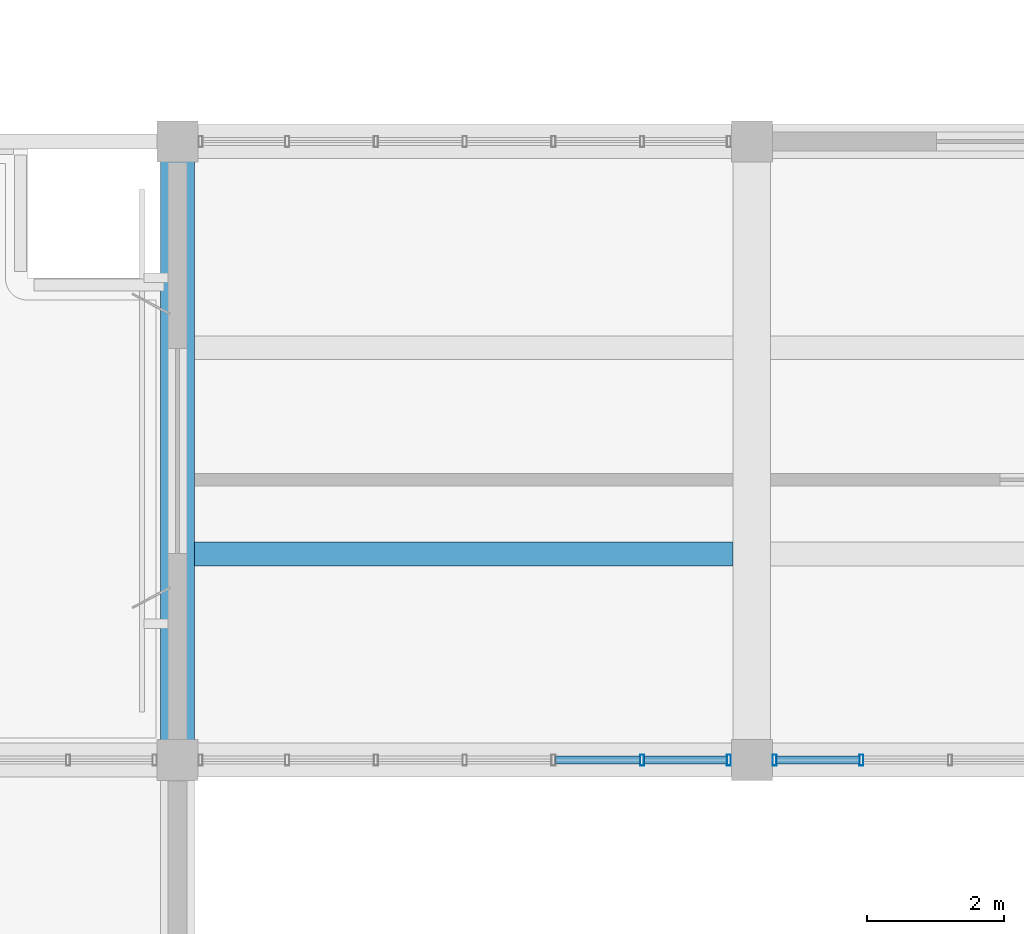
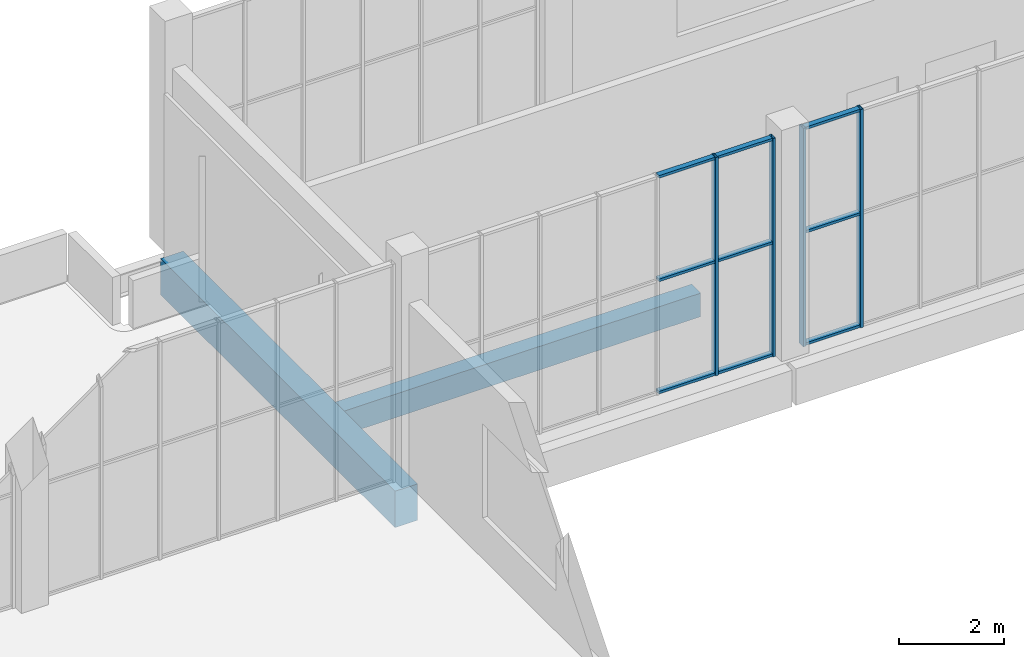
# One storey, part 57 of 132: 13 members, 2 beams, 2 elements without a shape of their own.
"""IFC4 building model written with IfcOpenShell, lengths in metres."""

from ifc_helpers import new_model, si_unit, direction, frame, origin, origin_2d, place, context, subcontext, project, spatial, rectangle, hollow_rectangle, extrude, material, material_profile, profile_set, type_object, element, aggregate, save


model = new_model("IFC4")

# Units and contexts
model_context = context("Model", 3, precision=1e-05, world=origin(), true_north=direction((0.0, 1.0)))
body_context = subcontext(model_context, "Body", "Model", "MODEL_VIEW")
ifc_project = project(units=[si_unit("LENGTHUNIT", "METRE"), si_unit("AREAUNIT", "SQUARE_METRE"), si_unit("VOLUMEUNIT", "CUBIC_METRE"), si_unit("PLANEANGLEUNIT", "RADIAN"), si_unit("MASSUNIT", "GRAM", prefix="KILO")], contexts=[model_context])

# Site, building, storey
site_placement = place(None, origin())
site = spatial("IfcSite", under=ifc_project, at=site_placement, CompositionType="ELEMENT")
building_placement = place(site_placement, origin())
building = spatial("IfcBuilding", under=site, at=building_placement, Name="Khurvash Pelagic Aquarium", CompositionType="ELEMENT")
storey_placement = place(building_placement, frame((0.0, 0.0, 5.39990234375)))
storey = spatial("IfcBuildingStorey", under=building, at=storey_placement, Name="L01", CompositionType="ELEMENT", Elevation=5.39990234375)

# Curtain wall, members
ifc_material_1 = material(Name="Anodised aluminium and low-E laminated glass", Category="aluminium")
curtain_wall_type = type_object("IfcCurtainWallType", Name="CW-05", PredefinedType="USERDEFINED", material=ifc_material_1)
curtain_wall_1_placement = place(storey_placement, origin())
curtain_wall_1 = element("IfcCurtainWall", 1, at=curtain_wall_1_placement, inside=storey, type_object=curtain_wall_type, Name="L01 Facade Unitised Curtain Wall CW-05 0134", ObjectType="UNITISED CURTAIN WALL", PredefinedType="USERDEFINED")
ifc_material_2 = material(Name="Extruded aluminium AW-6063-T6", Category="aluminium")
ifc_material_profile_1 = material_profile(ifc_material_2, hollow_rectangle(XDim=0.06005859375, YDim=0.159912109375, WallThickness=0.00390625, at=origin_2d()), Name="CWM60X160X4")
ifc_profile_set_1 = profile_set([ifc_material_profile_1], Name="Extruded aluminium AW-6063-T6")
member_type_1 = type_object("IfcMemberType", Name="CM-02", PredefinedType="MULLION", material=ifc_profile_set_1)
member_1_placement = place(storey_placement, frame((40.396728515625, 93.10009765625, 0.0), z_axis=(0.0, 0.0, 1.0), x_axis=(1.0, 0.0, 0.0)))
member_1 = element("IfcMember", 2, at=member_1_placement, type_object=member_type_1, Name="CW-05 mullion 6", PredefinedType="MULLION", context=body_context, shape_type="SweptSolid", body=[
    extrude(hollow_rectangle(XDim=0.06005859375, YDim=0.159912109375, WallThickness=0.00390625, at=origin_2d()), origin(), (0.0, 0.0, 1.0), 5.10009765625),
])
member_2_placement = place(storey_placement, frame((41.6650390625, 93.10009765625, 0.0), z_axis=(0.0, 0.0, 1.0), x_axis=(1.0, 0.0, 0.0)))
member_2 = element("IfcMember", 3, at=member_2_placement, type_object=member_type_1, Name="CW-05 mullion 7", PredefinedType="MULLION", context=body_context, shape_type="SweptSolid", body=[
    extrude(hollow_rectangle(XDim=0.06005859375, YDim=0.159912109375, WallThickness=0.00390625, at=origin_2d()), origin(), (0.0, 0.0, 1.0), 5.10009765625),
])

curtain_wall_2_placement = place(storey_placement, origin())
curtain_wall_2 = element("IfcCurtainWall", 4, at=curtain_wall_2_placement, inside=storey, type_object=curtain_wall_type, Name="L01 Facade Unitised Curtain Wall CW-05 0135", ObjectType="UNITISED CURTAIN WALL", PredefinedType="USERDEFINED")
member_3_placement = place(storey_placement, frame((42.3349609375, 93.10009765625, 0.0), z_axis=(0.0, 0.0, 1.0), x_axis=(1.0, 0.0, 0.0)))
member_3 = element("IfcMember", 5, at=member_3_placement, type_object=member_type_1, Name="CW-05 mullion 1", PredefinedType="MULLION", context=body_context, shape_type="SweptSolid", body=[
    extrude(hollow_rectangle(XDim=0.06005859375, YDim=0.159912109375, WallThickness=0.00390625, at=origin_2d()), origin(), (0.0, 0.0, 1.0), 5.10009765625),
])
member_4_placement = place(storey_placement, frame((43.603271484375, 93.10009765625, 0.0), z_axis=(0.0, 0.0, 1.0), x_axis=(1.0, 0.0, 0.0)))
member_4 = element("IfcMember", 6, at=member_4_placement, type_object=member_type_1, Name="CW-05 mullion 2", PredefinedType="MULLION", context=body_context, shape_type="SweptSolid", body=[
    extrude(hollow_rectangle(XDim=0.06005859375, YDim=0.159912109375, WallThickness=0.00390625, at=origin_2d()), origin(), (0.0, 0.0, 1.0), 5.10009765625),
])

# Member
ifc_material_profile_2 = material_profile(ifc_material_2, hollow_rectangle(XDim=0.1201171875, YDim=0.06005859375, WallThickness=0.00390625, at=origin_2d()), Name="CWT120X60X4")
ifc_profile_set_2 = profile_set([ifc_material_profile_2], Name="Extruded aluminium AW-6063-T6")
member_type_2 = type_object("IfcMemberType", Name="CT-02", PredefinedType="USERDEFINED", material=ifc_profile_set_2)
member_5_placement = place(storey_placement, frame((39.12841796875, 93.10009765625, 0.030029296875), z_axis=(1.0, 0.0, 0.0), x_axis=(0.0, 1.0, 0.0)))
member_5 = element("IfcMember", 7, at=member_5_placement, type_object=member_type_2, Name="CW-05 transom 5.1", ObjectType="TRANSOM", PredefinedType="USERDEFINED", context=body_context, shape_type="SweptSolid", body=[
    extrude(hollow_rectangle(XDim=0.1201171875, YDim=0.06005859375, WallThickness=0.00390625, at=origin_2d()), origin(), (0.0, 0.0, 1.0), 1.23828125),
])

member_6_placement = place(storey_placement, frame((39.12841796875, 93.10009765625, 2.652099609375), z_axis=(1.0, 0.0, 0.0), x_axis=(0.0, 1.0, 0.0)))
member_6 = element("IfcMember", 8, at=member_6_placement, type_object=member_type_2, Name="CW-05 transom 5.2", ObjectType="TRANSOM", PredefinedType="USERDEFINED", context=body_context, shape_type="SweptSolid", body=[
    extrude(hollow_rectangle(XDim=0.1201171875, YDim=0.06005859375, WallThickness=0.00390625, at=origin_2d()), origin(), (0.0, 0.0, 1.0), 1.23828125),
])

member_7_placement = place(storey_placement, frame((39.12841796875, 93.10009765625, 5.070068359375), z_axis=(1.0, 0.0, 0.0), x_axis=(0.0, 1.0, 0.0)))
member_7 = element("IfcMember", 9, at=member_7_placement, type_object=member_type_2, Name="CW-05 transom 5.3", ObjectType="TRANSOM", PredefinedType="USERDEFINED", context=body_context, shape_type="SweptSolid", body=[
    extrude(hollow_rectangle(XDim=0.1201171875, YDim=0.06005859375, WallThickness=0.00390625, at=origin_2d()), origin(), (0.0, 0.0, 1.0), 1.23828125),
])

member_8_placement = place(storey_placement, frame((40.4267578125, 93.10009765625, 0.030029296875), z_axis=(1.0, 0.0, 0.0), x_axis=(0.0, 1.0, 0.0)))
member_8 = element("IfcMember", 10, at=member_8_placement, type_object=member_type_2, Name="CW-05 transom 6.1", ObjectType="TRANSOM", PredefinedType="USERDEFINED", context=body_context, shape_type="SweptSolid", body=[
    extrude(hollow_rectangle(XDim=0.1201171875, YDim=0.06005859375, WallThickness=0.00390625, at=origin_2d()), origin(), (0.0, 0.0, 1.0), 1.208251953125),
])

member_9_placement = place(storey_placement, frame((40.4267578125, 93.10009765625, 2.652099609375), z_axis=(1.0, 0.0, 0.0), x_axis=(0.0, 1.0, 0.0)))
member_9 = element("IfcMember", 11, at=member_9_placement, type_object=member_type_2, Name="CW-05 transom 6.2", ObjectType="TRANSOM", PredefinedType="USERDEFINED", context=body_context, shape_type="SweptSolid", body=[
    extrude(hollow_rectangle(XDim=0.1201171875, YDim=0.06005859375, WallThickness=0.00390625, at=origin_2d()), origin(), (0.0, 0.0, 1.0), 1.208251953125),
])

member_10_placement = place(storey_placement, frame((40.4267578125, 93.10009765625, 5.070068359375), z_axis=(1.0, 0.0, 0.0), x_axis=(0.0, 1.0, 0.0)))
member_10 = element("IfcMember", 12, at=member_10_placement, type_object=member_type_2, Name="CW-05 transom 6.3", ObjectType="TRANSOM", PredefinedType="USERDEFINED", context=body_context, shape_type="SweptSolid", body=[
    extrude(hollow_rectangle(XDim=0.1201171875, YDim=0.06005859375, WallThickness=0.00390625, at=origin_2d()), origin(), (0.0, 0.0, 1.0), 1.208251953125),
])

aggregate(curtain_wall_1, [member_1, member_2, member_5, member_6, member_7, member_8, member_9, member_10])

member_11_placement = place(storey_placement, frame((42.364990234375, 93.10009765625, 0.030029296875), z_axis=(1.0, 0.0, 0.0), x_axis=(0.0, 1.0, 0.0)))
member_11 = element("IfcMember", 13, at=member_11_placement, type_object=member_type_2, Name="CW-05 transom 1.1", ObjectType="TRANSOM", PredefinedType="USERDEFINED", context=body_context, shape_type="SweptSolid", body=[
    extrude(hollow_rectangle(XDim=0.1201171875, YDim=0.06005859375, WallThickness=0.00390625, at=origin_2d()), origin(), (0.0, 0.0, 1.0), 1.208251953125),
])

member_12_placement = place(storey_placement, frame((42.364990234375, 93.10009765625, 2.652099609375), z_axis=(1.0, 0.0, 0.0), x_axis=(0.0, 1.0, 0.0)))
member_12 = element("IfcMember", 14, at=member_12_placement, type_object=member_type_2, Name="CW-05 transom 1.2", ObjectType="TRANSOM", PredefinedType="USERDEFINED", context=body_context, shape_type="SweptSolid", body=[
    extrude(hollow_rectangle(XDim=0.1201171875, YDim=0.06005859375, WallThickness=0.00390625, at=origin_2d()), origin(), (0.0, 0.0, 1.0), 1.208251953125),
])

member_13_placement = place(storey_placement, frame((42.364990234375, 93.10009765625, 5.070068359375), z_axis=(1.0, 0.0, 0.0), x_axis=(0.0, 1.0, 0.0)))
member_13 = element("IfcMember", 15, at=member_13_placement, type_object=member_type_2, Name="CW-05 transom 1.3", ObjectType="TRANSOM", PredefinedType="USERDEFINED", context=body_context, shape_type="SweptSolid", body=[
    extrude(hollow_rectangle(XDim=0.1201171875, YDim=0.06005859375, WallThickness=0.00390625, at=origin_2d()), origin(), (0.0, 0.0, 1.0), 1.208251953125),
])

aggregate(curtain_wall_2, [member_3, member_4, member_11, member_12, member_13])

# Beams
ifc_material_3 = material(Name="Concrete C35/45", Category="concrete")
ifc_material_profile_3 = material_profile(ifc_material_3, rectangle(XDim=0.35009765625, YDim=0.550048828125, at=origin_2d()), Name="RC350X550")
ifc_profile_set_3 = profile_set([ifc_material_profile_3], Name="Concrete C35/45")
beam_type_1 = type_object("IfcBeamType", Name="JS-01", PredefinedType="JOIST", material=ifc_profile_set_3)
beam_1_placement = place(storey_placement, frame((33.85009765625, 96.116943359375, -0.5849609375), z_axis=(1.0, 0.0, 0.0), x_axis=(0.0, 1.0, 0.0)))
element("IfcBeam", 16, at=beam_1_placement, inside=storey, type_object=beam_type_1, Name="L01 Floor Joist JS-01 00482", PredefinedType="JOIST", context=body_context, shape_type="SweptSolid", body=[
    extrude(rectangle(XDim=0.35009765625, YDim=0.550048828125, at=origin_2d()), origin(), (0.0, 0.0, 1.0), 7.875),
])
ifc_material_4 = material(Name="Concrete C40/50", Category="concrete")
ifc_material_profile_4 = material_profile(ifc_material_4, rectangle(XDim=0.5, YDim=0.85009765625, at=origin_2d()), Name="RC500X850")
ifc_profile_set_4 = profile_set([ifc_material_profile_4], Name="Concrete C40/50")
beam_type_2 = type_object("IfcBeamType", Name="SEB-03", PredefinedType="SPANDREL", material=ifc_profile_set_4)
beam_2_placement = place(storey_placement, frame((33.60009765625, 93.139892578125, -0.73486328125), z_axis=(0.0, 1.0, 0.0), x_axis=(-1.0, 0.0, 0.0)))
element("IfcBeam", 17, at=beam_2_placement, inside=storey, type_object=beam_type_2, Name="L01 Primary Girder SEB-03 00379", PredefinedType="SPANDREL", context=body_context, shape_type="SweptSolid", body=[
    extrude(rectangle(XDim=0.5, YDim=0.85009765625, at=origin_2d()), origin(), (0.0, 0.0, 1.0), 8.97021484375),
])

save(model, "model.ifc")
